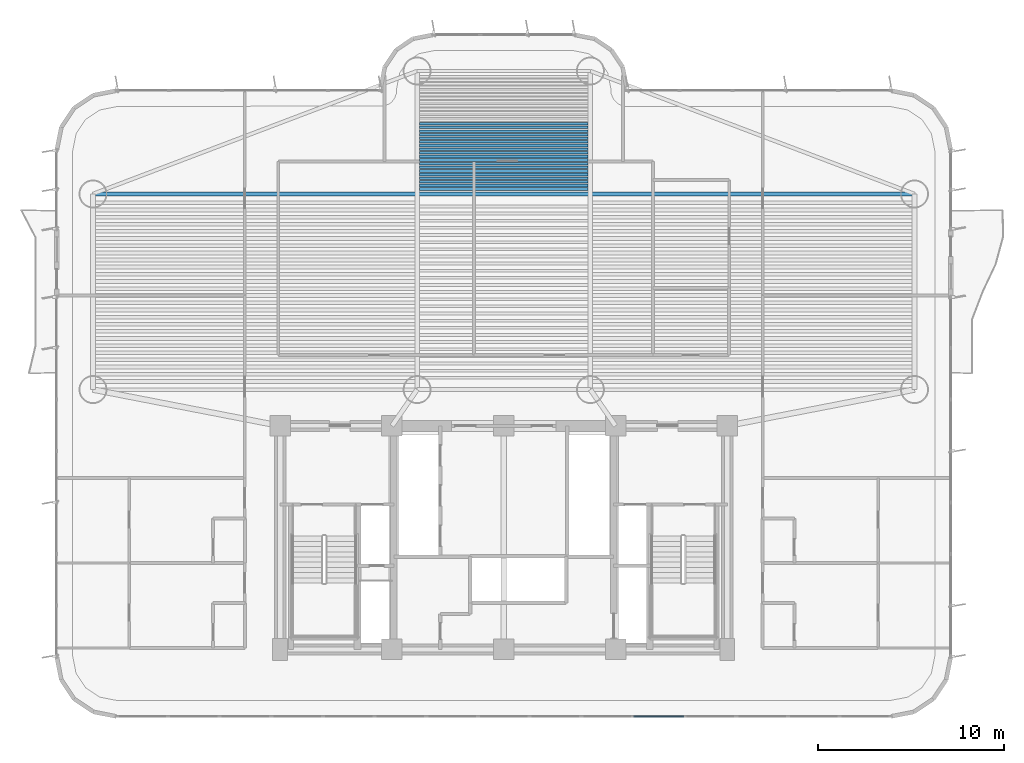
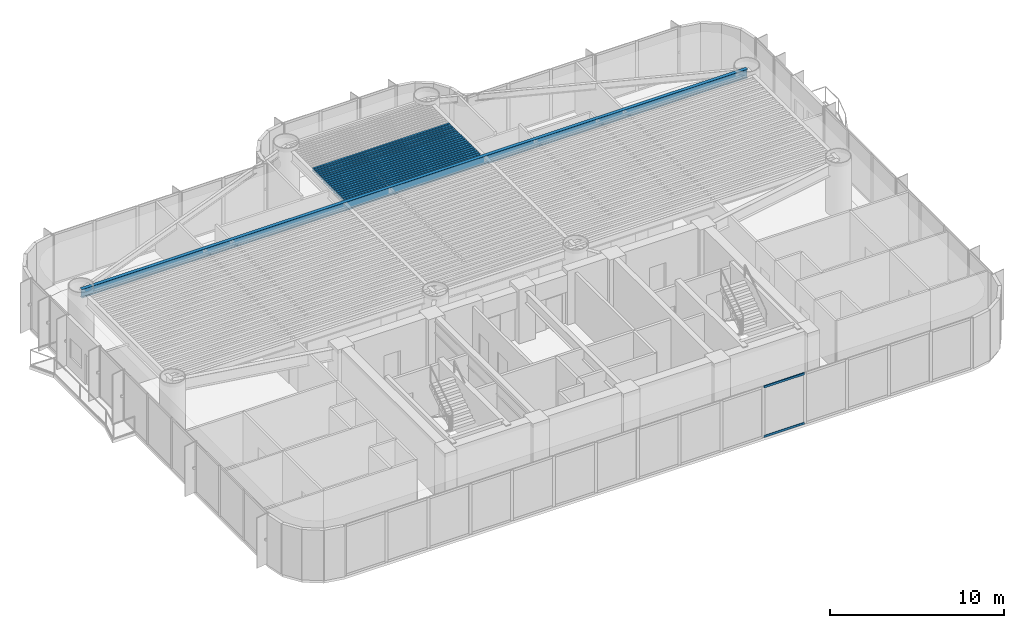
# One storey, part 4 of 17: 20 beams, 2 members, 1 element without a shape of its own.
"""IFC4 building model written with IfcOpenShell, lengths in metres."""

import ifcopenshell
import ifcopenshell.guid

model = None  # the IFC model being written
_history = None  # IfcOwnerHistory: only IFC2X3 demands one
_inside = {}  # id of a spatial element -> (the spatial element, [elements in it])
_under = {}  # id of a project, library or spatial element -> (it, [spatial elements below it])
_declared = {}  # id of a project -> (the project, [libraries it declares])
_typed = {}  # id of a type object -> (the type object, [elements of that type])
_made_of = {}  # id of a material, layer set ... -> (it, [elements and type objects made of it])


def new_model(schema):
    """Start an empty IFC model of exactly this schema.

    Asked for "IFC4X3", IfcOpenShell would pick the latest addendum, in which some entities
    have other attributes; the version numbers below select the first issue.
    IFC2X3 requires an IfcOwnerHistory on every rooted entity: one is made here for all.
    """
    global model, _history
    if schema == "IFC4X3":
        model = ifcopenshell.file(schema_version=(4, 3, 0, 0))
    else:
        model = ifcopenshell.file(schema=schema)
    _inside.clear()
    _under.clear()
    _declared.clear()
    _typed.clear()
    _made_of.clear()
    _history = None
    if model.schema == "IFC2X3":
        org = make("IfcOrganization", Name="unknown")
        user = make(
            "IfcPersonAndOrganization",
            ThePerson=make("IfcPerson", FamilyName="unknown"),
            TheOrganization=org,
        )
        app = make(
            "IfcApplication",
            ApplicationDeveloper=org,
            Version="unknown",
            ApplicationFullName="unknown",
            ApplicationIdentifier="unknown",
        )
        _history = make(
            "IfcOwnerHistory",
            OwningUser=user,
            OwningApplication=app,
            ChangeAction="ADDED",
            CreationDate=0,
        )
    return model


def make(cls, **values):
    """One entity of the class cls with the attributes given. An attribute that is None is left unset."""
    return model.create_entity(
        cls, **{name: value for name, value in values.items() if value is not None}
    )


def rooted(cls, **values):
    """An entity with a GlobalId (a new one), such as an element, a storey or a relation."""
    return make(cls, GlobalId=ifcopenshell.guid.new(), OwnerHistory=_history, **values)


def si_unit(unit_type, name, prefix=None):
    """IfcSIUnit, for example si_unit("LENGTHUNIT", "METRE", prefix="MILLI")."""
    return make("IfcSIUnit", UnitType=unit_type, Prefix=prefix, Name=name)


def assignment(units):
    """IfcUnitAssignment: the units of a project."""
    return None if units is None else make("IfcUnitAssignment", Units=units)


def point(xyz):
    """IfcCartesianPoint."""
    return None if xyz is None else make("IfcCartesianPoint", Coordinates=xyz)


def direction(xyz):
    """IfcDirection."""
    return None if xyz is None else make("IfcDirection", DirectionRatios=xyz)


def frame(location, z_axis=None, x_axis=None):
    """IfcAxis2Placement3D, a coordinate frame: its origin and axes. An axis left out is left unset."""
    return make(
        "IfcAxis2Placement3D",
        Location=point(location),
        Axis=direction(z_axis),
        RefDirection=direction(x_axis),
    )


def frame_2d(location, x_axis=None):
    """IfcAxis2Placement2D, a coordinate frame in the plane: its origin and x axis."""
    return make(
        "IfcAxis2Placement2D", Location=point(location), RefDirection=direction(x_axis)
    )


def origin():
    """The frame at (0, 0, 0) with its axes left unset."""
    return frame((0.0, 0.0, 0.0))


def origin_2d():
    """The frame at (0, 0) in the plane with its x axis left unset."""
    return frame_2d((0.0, 0.0))


def place(relative_to, where):
    """IfcLocalPlacement: puts the frame where relative to a parent placement (None: the world)."""
    return make(
        "IfcLocalPlacement", PlacementRelTo=relative_to, RelativePlacement=where
    )


def context(
    kind, dimensions, precision=None, world=None, true_north=None, identifier=None
):
    """IfcGeometricRepresentationContext, for example the 3D "Model" context."""
    return make(
        "IfcGeometricRepresentationContext",
        ContextIdentifier=identifier,
        ContextType=kind,
        CoordinateSpaceDimension=dimensions,
        Precision=precision,
        WorldCoordinateSystem=world,
        TrueNorth=true_north,
    )


def subcontext(parent, identifier, kind, view, scale=None):
    """IfcGeometricRepresentationSubContext, for example "Body" below "Model"."""
    return make(
        "IfcGeometricRepresentationSubContext",
        ContextIdentifier=identifier,
        ContextType=kind,
        ParentContext=parent,
        TargetScale=scale,
        TargetView=view,
    )


def project(units=None, contexts=None):
    """IfcProject with its units and contexts."""
    return rooted(
        "IfcProject",
        Name="project",
        RepresentationContexts=contexts,
        UnitsInContext=assignment(units),
    )


def spatial(cls, under=None, at=None, **own):
    """A site, building, storey or space (cls), placed at a placement, below another one or the project."""
    s = rooted(cls, ObjectPlacement=at, **own)
    if under is not None:
        _under.setdefault(under.id(), (under, []))[1].append(s)
    return s


def profile(cls, at=None, kind="AREA", **sizes):
    """A parametric profile (cls). Its sizes go by their IFC names, for example OverallWidth=200.0."""
    return make(cls, ProfileType=kind, Position=at, **sizes)


def rectangle(**sizes):
    """IfcRectangleProfileDef."""
    return profile("IfcRectangleProfileDef", **sizes)


def i_section(**sizes):
    """IfcIShapeProfileDef."""
    return profile("IfcIShapeProfileDef", **sizes)


def extrude(swept, where, along, depth):
    """IfcExtrudedAreaSolid: the profile swept, set in the frame where, extruded along a direction by depth."""
    return make(
        "IfcExtrudedAreaSolid",
        SweptArea=swept,
        Position=where,
        ExtrudedDirection=direction(along),
        Depth=depth,
    )


def shape(context_of_items, identifier, shape_type, items):
    """IfcShapeRepresentation: the items that make up one representation, for example the "Body"."""
    return make(
        "IfcShapeRepresentation",
        ContextOfItems=context_of_items,
        RepresentationIdentifier=identifier,
        RepresentationType=shape_type,
        Items=items,
    )


def source(mapping_origin, context_of_items, identifier, shape_type, items):
    """IfcRepresentationMap: a shape defined once, which mapped items show again and again."""
    return make(
        "IfcRepresentationMap",
        MappingOrigin=mapping_origin,
        MappedRepresentation=shape(context_of_items, identifier, shape_type, items),
    )


def transform(
    local_origin,
    x_axis=None,
    y_axis=None,
    z_axis=None,
    scale=None,
    scale2=None,
    scale3=None,
    uniform=True,
):
    """IfcCartesianTransformationOperator3D, or its non-uniform kind. x_axis, y_axis, z_axis: its Axis1, 2, 3."""
    if uniform:
        return make(
            "IfcCartesianTransformationOperator3D",
            Axis1=direction(x_axis),
            Axis2=direction(y_axis),
            LocalOrigin=point(local_origin),
            Scale=scale,
            Axis3=direction(z_axis),
        )
    return make(
        "IfcCartesianTransformationOperator3DnonUniform",
        Axis1=direction(x_axis),
        Axis2=direction(y_axis),
        LocalOrigin=point(local_origin),
        Scale=scale,
        Axis3=direction(z_axis),
        Scale2=scale2,
        Scale3=scale3,
    )


def mapped(mapping_source, mapping_target):
    """IfcMappedItem: shows the shape of a source again, moved by a transform."""
    return make(
        "IfcMappedItem", MappingSource=mapping_source, MappingTarget=mapping_target
    )


def material(Name=None, Category=None):
    """IfcMaterial."""
    return make("IfcMaterial", Name=Name, Category=Category)


def layer(
    of_material, thickness, ventilated=None, Name=None, Category=None, Priority=None
):
    """IfcMaterialLayer: one layer of a wall or slab, of a material (None: an air gap)."""
    return make(
        "IfcMaterialLayer",
        Material=of_material,
        LayerThickness=thickness,
        IsVentilated=ventilated,
        Name=Name,
        Category=Category,
        Priority=Priority,
    )


def layer_set(layers, Name=None):
    """IfcMaterialLayerSet."""
    return make("IfcMaterialLayerSet", MaterialLayers=layers, LayerSetName=Name)


def material_profile(
    of_material, cross_section, Name=None, Category=None, Priority=None
):
    """IfcMaterialProfile: a cross section and its material."""
    return make(
        "IfcMaterialProfile",
        Name=Name,
        Material=of_material,
        Profile=cross_section,
        Priority=Priority,
        Category=Category,
    )


def profile_set(profiles, Name=None, composite=None):
    """IfcMaterialProfileSet."""
    return make(
        "IfcMaterialProfileSet",
        Name=Name,
        MaterialProfiles=profiles,
        CompositeProfile=composite,
    )


def made_of(thing, what):
    """Note that an element or type object is made of a material, layer set ...; save() writes the relation."""
    if what is not None:
        _made_of.setdefault(what.id(), (what, []))[1].append(thing)
    return thing


def type_object(cls, material=None, **own):
    """A type object (cls), such as IfcWallType, which elements share."""
    return made_of(rooted(cls, **own), material)


def element(
    cls,
    number,
    at=None,
    inside=None,
    cuts=None,
    type_object=None,
    material=None,
    context=None,
    identifier="Body",
    shape_type=None,
    held_by="IfcProductDefinitionShape",
    body=None,
    shapes=None,
    **own,
):
    """One element of the class cls, such as IfcWall. Its Tag is "e" and its number.

    at: its placement. inside: the storey or other place that contains it. cuts: it is an
    opening in that element (IfcRelVoidsElement). A single representation is given by context,
    identifier, shape_type and body (its items); several are given by shapes. held_by: the class
    of the entity that holds the representations. save() writes the other relations.
    """
    e = rooted(cls, Tag="e%d" % number, ObjectPlacement=at, **own)
    if body is not None:
        shapes = [shape(context, identifier, shape_type, body)]
    if shapes is not None:
        e.Representation = make(held_by, Representations=shapes)
    if inside is not None:
        _inside.setdefault(inside.id(), (inside, []))[1].append(e)
    if cuts is not None:
        rooted(
            "IfcRelVoidsElement", RelatingBuildingElement=cuts, RelatedOpeningElement=e
        )
    if type_object is not None:
        _typed.setdefault(type_object.id(), (type_object, []))[1].append(e)
    return made_of(e, material)


def aggregate(whole, parts):
    """IfcRelAggregates: a whole, such as a stair, and the parts it consists of."""
    return rooted("IfcRelAggregates", RelatingObject=whole, RelatedObjects=parts)


def save(model, path):
    """Write the relations noted so far, then the file.

    IfcRelAggregates (storeys below a building ...), IfcRelContainedInSpatialStructure (elements
    in a storey), IfcRelDefinesByType, IfcRelAssociatesMaterial and IfcRelDeclares: one each for
    every whole, place, type object, material and project.
    """
    for whole, parts in _under.values():
        aggregate(whole, parts)
    for where, things in _inside.values():
        rooted(
            "IfcRelContainedInSpatialStructure",
            RelatedElements=things,
            RelatingStructure=where,
        )
    for kind, things in _typed.values():
        rooted("IfcRelDefinesByType", RelatedObjects=things, RelatingType=kind)
    for what, things in _made_of.values():
        rooted("IfcRelAssociatesMaterial", RelatedObjects=things, RelatingMaterial=what)
    for by, libraries in _declared.values():
        rooted("IfcRelDeclares", RelatingContext=by, RelatedDefinitions=libraries)
    model.write(path)


model = new_model("IFC4")

# Units and contexts
model_context = context("Model", 3, precision=1e-05, world=origin(), true_north=direction((0.0, 1.0)))
body_context = subcontext(model_context, "Body", "Model", "MODEL_VIEW")
ifc_project = project(units=[si_unit("LENGTHUNIT", "METRE"), si_unit("AREAUNIT", "SQUARE_METRE"), si_unit("VOLUMEUNIT", "CUBIC_METRE"), si_unit("PLANEANGLEUNIT", "RADIAN"), si_unit("MASSUNIT", "GRAM", prefix="KILO")], contexts=[model_context])

# Site, building, storey
site_placement = place(None, origin())
site = spatial("IfcSite", under=ifc_project, at=site_placement, CompositionType="ELEMENT")
building_placement = place(site_placement, origin())
building = spatial("IfcBuilding", under=site, at=building_placement, Name="Brelvock Crest Care Tower", CompositionType="ELEMENT")
storey_placement = place(building_placement, frame((0.0, 0.0, 53.4599609375)))
storey = spatial("IfcBuildingStorey", under=building, at=storey_placement, Name="L13", CompositionType="ELEMENT", Elevation=53.4599609375)

# Beams
ifc_material_1 = material(Name="Steel Grade 350", Category="steel")
ifc_material_profile_1 = material_profile(ifc_material_1, i_section(OverallWidth=0.22900390625, OverallDepth=0.612060546875, WebThickness=0.011962890625, FlangeThickness=0.01953125, FilletRadius=0.013916015625, at=origin_2d()), Name="610UB125")
ifc_profile_set_1 = profile_set([ifc_material_profile_1], Name="Steel Grade 350")
beam_type_1 = type_object("IfcBeamType", Name="BM-G1", PredefinedType="BEAM", material=ifc_profile_set_1)
shared_shape_1 = source(origin(), body_context, "Body", "SweptSolid", [
    extrude(i_section(OverallWidth=0.22900390625, OverallDepth=0.612060546875, WebThickness=0.011962890625, FlangeThickness=0.01953125, FilletRadius=0.013916015625, at=origin_2d()), origin(), (0.0, 0.0, 1.0), 44.10009765625),
])
beam_placement = place(storey_placement, frame((13.949951171875, 30.449951171875, 3.22412109375), z_axis=(1.0, 0.0, 0.0), x_axis=(0.0, 1.0, 0.0)))
element("IfcBeam", 1, at=beam_placement, inside=storey, type_object=beam_type_1, Name="BM-TWR-L13-11", PredefinedType="BEAM", context=body_context, shape_type="MappedRepresentation", body=[
    mapped(shared_shape_1, transform((0.0, 0.0, 0.0), x_axis=(1.0, 0.0, 0.0), y_axis=(0.0, 1.0, 0.0), z_axis=(0.0, 0.0, 1.0), scale=1.0)),
])
ifc_material_profile_2 = material_profile(ifc_material_1, i_section(OverallWidth=0.14599609375, OverallDepth=0.256103515625, WebThickness=0.00634765625, FlangeThickness=0.010986328125, FilletRadius=0.0087890625, at=origin_2d()), Name="250UB37.3")
ifc_profile_set_2 = profile_set([ifc_material_profile_2], Name="Steel Grade 350")
beam_type_2 = type_object("IfcBeamType", Name="BM-J3", PredefinedType="JOIST", material=ifc_profile_set_2)
shared_shape_2 = source(origin(), body_context, "Body", "SweptSolid", [
    extrude(i_section(OverallWidth=0.14599609375, OverallDepth=0.256103515625, WebThickness=0.00634765625, FlangeThickness=0.010986328125, FilletRadius=0.0087890625, at=origin_2d()), origin(), (0.0, 0.0, 1.0), 9.06982421875),
])
for number, where, z_axis, x_axis, name in (
    (2, (31.465087890625, 30.714111328125, 3.402099609375), (1.0, 0.0, 0.0), (0.0, 1.0, 0.0), "BM-JN-L13-1"),
    (3, (31.465087890625, 30.90869140625, 3.402099609375), (1.0, 0.0, 0.0), (0.0, 1.0, 0.0), "BM-JN-L13-2"),
    (4, (31.465087890625, 31.103515625, 3.402099609375), (1.0, 0.0, 0.0), (0.0, 1.0, 0.0), "BM-JN-L13-3"),
    (5, (31.465087890625, 31.298095703125, 3.402099609375), (1.0, 0.0, 0.0), (0.0, 1.0, 0.0), "BM-JN-L13-4"),
    (6, (31.465087890625, 31.492919921875, 3.402099609375), (1.0, 0.0, 0.0), (0.0, 1.0, 0.0), "BM-JN-L13-5"),
    (7, (31.465087890625, 31.6875, 3.402099609375), (1.0, 0.0, 0.0), (0.0, 1.0, 0.0), "BM-JN-L13-6"),
    (8, (31.465087890625, 31.882080078125, 3.402099609375), (1.0, 0.0, 0.0), (0.0, 1.0, 0.0), "BM-JN-L13-7"),
    (9, (31.465087890625, 32.076904296875, 3.402099609375), (1.0, 0.0, 0.0), (0.0, 1.0, 0.0), "BM-JN-L13-8"),
    (10, (31.465087890625, 32.271484375, 3.402099609375), (1.0, 0.0, 0.0), (0.0, 1.0, 0.0), "BM-JN-L13-9"),
    (11, (31.465087890625, 32.46630859375, 3.402099609375), (1.0, 0.0, 0.0), (0.0, 1.0, 0.0), "BM-JN-L13-10"),
    (12, (31.465087890625, 32.660888671875, 3.402099609375), (1.0, 0.0, 0.0), (0.0, 1.0, 0.0), "BM-JN-L13-11"),
    (13, (31.465087890625, 32.855712890625, 3.402099609375), (1.0, 0.0, 0.0), (0.0, 1.0, 0.0), "BM-JN-L13-12"),
    (14, (31.465087890625, 33.05029296875, 3.402099609375), (1.0, 0.0, 0.0), (0.0, 1.0, 0.0), "BM-JN-L13-13"),
):
    element("IfcBeam", number, at=place(storey_placement, frame(where, z_axis=z_axis, x_axis=x_axis)), inside=storey, type_object=beam_type_2, Name=name, PredefinedType="JOIST", context=body_context, shape_type="MappedRepresentation", body=[
        mapped(shared_shape_2, transform((0.0, 0.0, 0.0), x_axis=(1.0, 0.0, 0.0), y_axis=(0.0, 1.0, 0.0), z_axis=(0.0, 0.0, 1.0), scale=1.0)),
    ])
ifc_material_profile_3 = material_profile(ifc_material_1, i_section(OverallWidth=0.134033203125, OverallDepth=0.20703125, WebThickness=0.00634765625, FlangeThickness=0.009521484375, FilletRadius=0.0087890625, at=origin_2d()), Name="200UB29.8")
ifc_profile_set_3 = profile_set([ifc_material_profile_3], Name="Steel Grade 350")
beam_type_3 = type_object("IfcBeamType", Name="BM-J4", PredefinedType="JOIST", material=ifc_profile_set_3)
shared_shape_3 = source(origin(), body_context, "Body", "SweptSolid", [
    extrude(i_section(OverallWidth=0.134033203125, OverallDepth=0.20703125, WebThickness=0.00634765625, FlangeThickness=0.009521484375, FilletRadius=0.0087890625, at=origin_2d()), origin(), (0.0, 0.0, 1.0), 9.06982421875),
])
for number, where, z_axis, x_axis, name in (
    (15, (31.465087890625, 33.2451171875, 3.426513671875), (1.0, 0.0, 0.0), (0.0, 1.0, 0.0), "BM-JN-L13-14"),
    (16, (31.465087890625, 33.439697265625, 3.426513671875), (1.0, 0.0, 0.0), (0.0, 1.0, 0.0), "BM-JN-L13-15"),
    (17, (31.465087890625, 33.634521484375, 3.426513671875), (1.0, 0.0, 0.0), (0.0, 1.0, 0.0), "BM-JN-L13-16"),
    (18, (31.465087890625, 33.8291015625, 3.426513671875), (1.0, 0.0, 0.0), (0.0, 1.0, 0.0), "BM-JN-L13-17"),
    (19, (31.465087890625, 34.02392578125, 3.426513671875), (1.0, 0.0, 0.0), (0.0, 1.0, 0.0), "BM-JN-L13-18"),
    (20, (31.465087890625, 34.218505859375, 3.426513671875), (1.0, 0.0, 0.0), (0.0, 1.0, 0.0), "BM-JN-L13-19"),
):
    element("IfcBeam", number, at=place(storey_placement, frame(where, z_axis=z_axis, x_axis=x_axis)), inside=storey, type_object=beam_type_3, Name=name, PredefinedType="JOIST", context=body_context, shape_type="MappedRepresentation", body=[
        mapped(shared_shape_3, transform((0.0, 0.0, 0.0), x_axis=(1.0, 0.0, 0.0), y_axis=(0.0, 1.0, 0.0), z_axis=(0.0, 0.0, 1.0), scale=1.0)),
    ])

# Curtain wall, members
ifc_material_2 = material(Name="Dark Glass Double Glazed Low-E", Category="glass")
ifc_layer = layer(ifc_material_2, 0.195068359375, Name="CWS-2")
ifc_layer_set = layer_set([ifc_layer], Name="Dark Glass Double Glazed Low-E")
curtain_wall_type = type_object("IfcCurtainWallType", Name="CWS-2", PredefinedType="NOTDEFINED", material=ifc_layer_set)
curtain_wall_placement = place(storey_placement, origin())
curtain_wall = element("IfcCurtainWall", 21, at=curtain_wall_placement, inside=storey, type_object=curtain_wall_type, Name="L13 Curtain Wall E08", PredefinedType="NOTDEFINED")
ifc_material_3 = material(Name="Aluminium 6063-T6", Category="aluminium")
ifc_material_profile_4 = material_profile(ifc_material_3, rectangle(XDim=0.06494140625, YDim=0.14990234375, at=origin_2d()), Name="ALU65x150")
ifc_profile_set_4 = profile_set([ifc_material_profile_4], Name="Aluminium 6063-T6")
member_type = type_object("IfcMemberType", Name="CWT-1", PredefinedType="USERDEFINED", material=ifc_profile_set_4)
shared_shape_4 = source(origin(), body_context, "Body", "SweptSolid", [
    extrude(rectangle(XDim=0.06494140625, YDim=0.14990234375, at=origin_2d()), origin(), (0.0, 0.0, 1.0), 2.708251953125),
])
member_1_placement = place(storey_placement, frame((45.674072265625, 2.39990234375, 0.032470703125), z_axis=(-1.0, 0.0, 0.0), x_axis=(0.0, -1.0, 0.0)))
member_1 = element("IfcMember", 22, at=member_1_placement, type_object=member_type, Name="CW-2 transom 5.1", ObjectType="TRANSOM", PredefinedType="USERDEFINED", context=body_context, shape_type="MappedRepresentation", body=[
    mapped(shared_shape_4, transform((0.0, 0.0, 0.0), x_axis=(1.0, 0.0, 0.0), y_axis=(0.0, 1.0, 0.0), z_axis=(0.0, 0.0, 1.0), scale=1.0)),
])
member_2_placement = place(storey_placement, frame((45.674072265625, 2.39990234375, 3.49755859375), z_axis=(-1.0, 0.0, 0.0), x_axis=(0.0, -1.0, 0.0)))
member_2 = element("IfcMember", 23, at=member_2_placement, type_object=member_type, Name="CW-2 transom 5.2", ObjectType="TRANSOM", PredefinedType="USERDEFINED", context=body_context, shape_type="MappedRepresentation", body=[
    mapped(shared_shape_4, transform((0.0, 0.0, 0.0), x_axis=(1.0, 0.0, 0.0), y_axis=(0.0, 1.0, 0.0), z_axis=(0.0, 0.0, 1.0), scale=1.0)),
])
aggregate(curtain_wall, [member_1, member_2])

save(model, "model.ifc")
